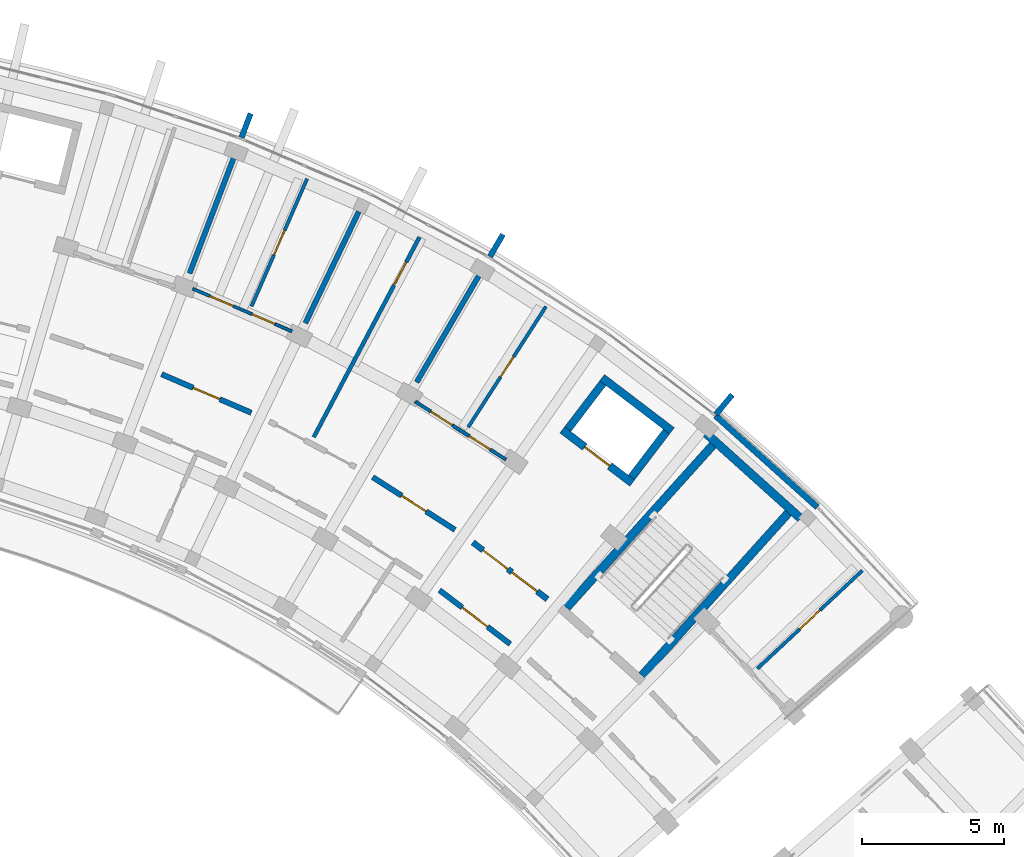
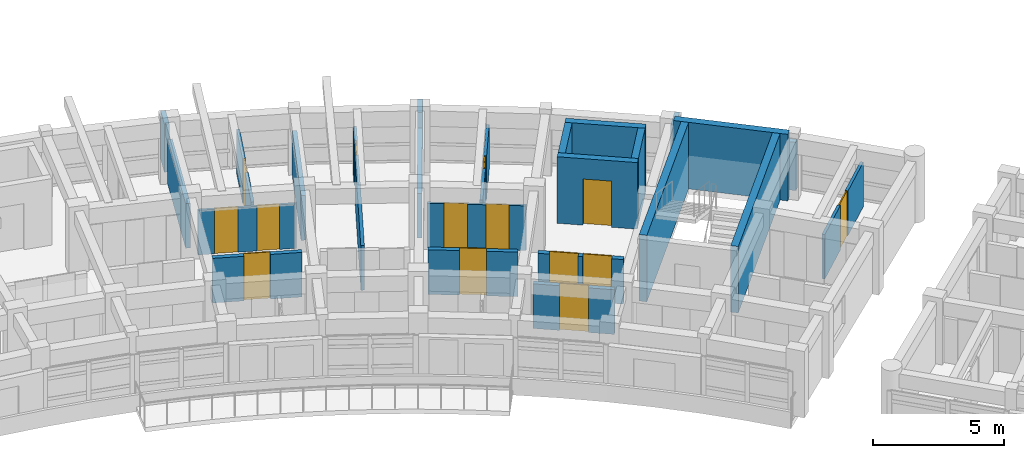
# One storey, part 36 of 56: 24 walls, 14 doors, 14 openings.
"""IFC4 building model written with IfcOpenShell, lengths in metres."""

from ifc_helpers import new_model, si_unit, direction, frame, frame_2d, origin, place, context, subcontext, project, spatial, rectangle, extrude, material, layer, layer_set, type_object, element, fill, save


model = new_model("IFC4")

# Units and contexts
model_context = context("Model", 3, precision=1e-05, world=origin(), true_north=direction((0.0, 1.0)))
body_context = subcontext(model_context, "Body", "Model", "MODEL_VIEW")
ifc_project = project(units=[si_unit("LENGTHUNIT", "METRE"), si_unit("AREAUNIT", "SQUARE_METRE"), si_unit("VOLUMEUNIT", "CUBIC_METRE"), si_unit("PLANEANGLEUNIT", "RADIAN"), si_unit("MASSUNIT", "GRAM", prefix="KILO")], contexts=[model_context])

# Site, building, storey
site_placement = place(None, origin())
site = spatial("IfcSite", under=ifc_project, at=site_placement, CompositionType="ELEMENT")
building_placement = place(site_placement, origin())
building = spatial("IfcBuilding", under=site, at=building_placement, Name="Zimvara Arc Housing Community", CompositionType="ELEMENT")
storey_placement = place(building_placement, frame((0.0, 0.0, 17.39990234375)))
storey = spatial("IfcBuildingStorey", under=building, at=storey_placement, Name="L05", CompositionType="ELEMENT", Elevation=17.39990234375)

# Walls
ifc_material_1 = material(Name="Board-Marked Fair-Faced Concrete C35/45", Category="concrete")
ifc_layer_1 = layer(ifc_material_1, 0.195068359375)
ifc_layer_set_1 = layer_set([ifc_layer_1], Name="Board-Marked Fair-Faced Concrete C35/45")
wall_type_1 = type_object("IfcWallType", Name="EWL-PARA-195", PredefinedType="PARAPET", material=ifc_layer_set_1)
wall_1_placement = place(storey_placement, frame((66.216796875, 100.0029296875, 0.0), z_axis=(0.0, 0.0, 1.0), x_axis=(0.356942580168, 0.934126326823, 0.0)))
element("IfcWall", 1, at=wall_1_placement, inside=storey, type_object=wall_type_1, Name="finwall:blkB:L05:out:b4", PredefinedType="PARAPET", context=body_context, shape_type="SweptSolid", body=[
    extrude(rectangle(XDim=0.900146484375, YDim=0.195068359375, at=frame_2d((0.4501953125, 0.0))), origin(), (0.0, 0.0, 1.0), 2.25),
])
wall_2_placement = place(storey_placement, frame((74.961181640625, 95.8134765625, 0.0), z_axis=(0.0, 0.0, 1.0), x_axis=(0.504326383773, 0.863513114336, 0.0)))
element("IfcWall", 2, at=wall_2_placement, inside=storey, type_object=wall_type_1, Name="finwall:blkB:L05:out:b6", PredefinedType="PARAPET", context=body_context, shape_type="SweptSolid", body=[
    extrude(rectangle(XDim=0.89990234375, YDim=0.195068359375, at=frame_2d((0.449951171875, 0.0))), origin(), (0.0, 0.0, 1.0), 2.25),
])
wall_3_placement = place(storey_placement, frame((82.90771484375, 90.25732421875, 0.0), z_axis=(0.0, 0.0, 1.0), x_axis=(0.637967316825, 0.770063440674, 0.0)))
element("IfcWall", 3, at=wall_3_placement, inside=storey, type_object=wall_type_1, Name="finwall:blkB:L05:out:b8", PredefinedType="PARAPET", context=body_context, shape_type="SweptSolid", body=[
    extrude(rectangle(XDim=0.900146484375, YDim=0.195068359375, at=frame_2d((0.4501953125, 0.0))), origin(), (0.0, 0.0, 1.0), 2.25),
])
ifc_material_2 = material(Name="Board-Marked Fair-Faced Concrete C35/45", Category="concrete")
ifc_layer_2 = layer(ifc_material_2, 0.2119140625)
ifc_layer_set_2 = layer_set([ifc_layer_2], Name="Board-Marked Fair-Faced Concrete C35/45")
wall_type_2 = type_object("IfcWallType", Name="EWL-VAR-11", PredefinedType="SOLIDWALL", material=ifc_layer_set_2)
wall_4_placement = place(storey_placement, frame((82.89697265625, 90.21337890625, 0.0), z_axis=(0.0, 0.0, 1.0), x_axis=(0.743387539862, -0.668860946369, 0.0)))
element("IfcWall", 4, at=wall_4_placement, inside=storey, type_object=wall_type_2, Name="ewall:blkB:L05:out:b8", PredefinedType="SOLIDWALL", context=body_context, shape_type="SweptSolid", body=[
    extrude(rectangle(XDim=4.80908203125, YDim=0.2119140625, at=frame_2d((2.404541015625, 0.0))), origin(), (0.0, 0.0, 1.0), 2.25),
])

# Wall, openings, doors
ifc_material_3 = material(Name="Concrete C35/45", Category="concrete")
ifc_layer_3 = layer(ifc_material_3, 0.2099609375)
ifc_layer_set_3 = layer_set([ifc_layer_3], Name="Concrete C35/45")
wall_type_3 = type_object("IfcWallType", Name="IWL-CCF-210", PredefinedType="SOLIDWALL", material=ifc_layer_set_3)
wall_5_placement = place(storey_placement, frame((74.356689453125, 85.755859375, 0.0), z_axis=(0.0, 0.0, 1.0), x_axis=(0.795498026433, -0.605956178235, 0.0)))
wall_5 = element("IfcWall", 5, at=wall_5_placement, inside=storey, type_object=wall_type_3, Name="iwall:blkB:L05:ll_div:b7", PredefinedType="SOLIDWALL", context=body_context, shape_type="SweptSolid", body=[
    extrude(rectangle(XDim=3.296142578125, YDim=0.2099609375, at=frame_2d((1.64794921875, 0.0))), origin(), (0.0, 0.0, 1.0), 2.080078125),
])
opening_1_placement = place(wall_5_placement, frame((0.449951171875, 0.0, 0.0)))
opening_1 = element("IfcOpeningElement", 6, at=opening_1_placement, cuts=wall_5, Name="Opening FD-CCF1", PredefinedType="OPENING", context=body_context, shape_type="SweptSolid", body=[
    extrude(rectangle(XDim=1.10009765625, YDim=2.14990234375, at=frame_2d((0.550048828125, 1.074951171875))), frame((0.0, 0.114990234375, 0.0), z_axis=(0.0, -1.0, 0.0), x_axis=(1.0, 0.0, 0.0)), (0.0, 0.0, 1.0), 0.22998046875),
])
opening_2_placement = place(wall_5_placement, frame((1.72607421875, 0.0, 0.0)))
opening_2 = element("IfcOpeningElement", 7, at=opening_2_placement, cuts=wall_5, Name="Opening D07", PredefinedType="OPENING", context=body_context, shape_type="SweptSolid", body=[
    extrude(rectangle(XDim=1.1201171875, YDim=2.14990234375, at=frame_2d((0.56005859375, 1.074951171875))), frame((0.0, 0.114990234375, 0.0), z_axis=(0.0, -1.0, 0.0), x_axis=(1.0, 0.0, 0.0)), (0.0, 0.0, 1.0), 0.22998046875),
])
ifc_material_4 = material(Name="Mozambican Hardwood", Category="wood")
door_type_1 = type_object("IfcDoorType", Name="IDR-AMN-1120x2150", OperationType="NOTDEFINED", PredefinedType="DOOR", material=ifc_material_4)
door_1_placement = place(opening_2_placement, origin())
door_1 = element("IfcDoor", 8, at=door_1_placement, inside=storey, type_object=door_type_1, Name="idoor:blkB:L05:rs_in:b7", OperationType="SINGLE_SWING_LEFT", OverallHeight=2.14990234375, OverallWidth=1.1201171875, PredefinedType="DOOR", context=body_context, shape_type="SweptSolid", body=[
    extrude(rectangle(XDim=1.1201171875, YDim=2.14990234375, at=frame_2d((0.56005859375, 1.074951171875))), frame((0.0, 0.02490234375, 0.0), z_axis=(0.0, -1.0, 0.0), x_axis=(1.0, 0.0, 0.0)), (0.0, 0.0, 1.0), 0.050048828125),
])
fill(opening_2, door_1)
ifc_material_5 = material(Name="Anodised Aluminium AW-6063", Category="aluminium")
door_type_2 = type_object("IfcDoorType", Name="IDR-CCF-1100x2150", OperationType="NOTDEFINED", PredefinedType="DOOR", material=ifc_material_5)
door_2_placement = place(opening_1_placement, origin())
door_2 = element("IfcDoor", 9, at=door_2_placement, inside=storey, type_object=door_type_2, Name="idoor:blkB:L05:ll_in:b7", OperationType="SINGLE_SWING_RIGHT", OverallHeight=2.14990234375, OverallWidth=1.10009765625, PredefinedType="DOOR", context=body_context, shape_type="SweptSolid", body=[
    extrude(rectangle(XDim=1.10009765625, YDim=2.14990234375, at=frame_2d((0.550048828125, 1.074951171875))), frame((0.0, 0.02490234375, 0.0), z_axis=(0.0, -1.0, 0.0), x_axis=(1.0, 0.0, 0.0)), (0.0, 0.0, 1.0), 0.050048828125),
])
fill(opening_1, door_2)

# Wall, opening, door
ifc_material_6 = material(Name="Concrete C35/45", Category="concrete")
ifc_layer_4 = layer(ifc_material_6, 0.18994140625)
ifc_layer_set_4 = layer_set([ifc_layer_4], Name="Concrete C35/45")
wall_type_4 = type_object("IfcWallType", Name="IWL-CORR-190", PredefinedType="SOLIDWALL", material=ifc_layer_set_4)
wall_6_placement = place(storey_placement, frame((63.40673828125, 91.6728515625, 0.0), z_axis=(0.0, 0.0, 1.0), x_axis=(0.918718172399, -0.394913813008, 0.0)))
wall_6 = element("IfcWall", 10, at=wall_6_placement, inside=storey, type_object=wall_type_4, Name="iwall:blkB:L05:corr_out:b4", PredefinedType="SOLIDWALL", context=body_context, shape_type="SweptSolid", body=[
    extrude(rectangle(XDim=3.43603515625, YDim=0.18994140625, at=frame_2d((1.718017578125, 0.0))), origin(), (0.0, 0.0, 1.0), 2.080078125),
])
opening_3_placement = place(wall_6_placement, frame((1.2080078125, 0.0, 0.0)))
opening_3 = element("IfcOpeningElement", 11, at=opening_3_placement, cuts=wall_6, Name="Opening FD-FL2", PredefinedType="OPENING", context=body_context, shape_type="SweptSolid", body=[
    extrude(rectangle(XDim=1.02001953125, YDim=2.14990234375, at=frame_2d((0.510009765625, 1.074951171875))), frame((0.0, 0.10498046875, 0.0), z_axis=(0.0, -1.0, 0.0), x_axis=(1.0, 0.0, 0.0)), (0.0, 0.0, 1.0), 0.2099609375),
])
ifc_material_7 = material(Name="Mozambican Hardwood", Category="wood")
door_type_3 = type_object("IfcDoorType", Name="IDR-FLAT-1020x2150", OperationType="NOTDEFINED", PredefinedType="DOOR", material=ifc_material_7)
door_3_placement = place(opening_3_placement, origin())
door_3 = element("IfcDoor", 12, at=door_3_placement, inside=storey, type_object=door_type_3, Name="idoor:blkB:L05:flat:b4", OperationType="SINGLE_SWING_RIGHT", OverallHeight=2.14990234375, OverallWidth=1.02001953125, PredefinedType="DOOR", context=body_context, shape_type="SweptSolid", body=[
    extrude(rectangle(XDim=1.02001953125, YDim=2.14990234375, at=frame_2d((0.510009765625, 1.074951171875))), frame((0.0, 0.02490234375, 0.0), z_axis=(0.0, -1.0, 0.0), x_axis=(1.0, 0.0, 0.0)), (0.0, 0.0, 1.0), 0.050048828125),
])
fill(opening_3, door_3)

wall_7_placement = place(storey_placement, frame((70.833740234375, 88.05126953125, 0.0), z_axis=(0.0, 0.0, 1.0), x_axis=(0.842257205985, -0.539075874963, 0.0)))
wall_7 = element("IfcWall", 13, at=wall_7_placement, inside=storey, type_object=wall_type_4, Name="iwall:blkB:L05:corr_out:b6", PredefinedType="SOLIDWALL", context=body_context, shape_type="SweptSolid", body=[
    extrude(rectangle(XDim=3.43603515625, YDim=0.18994140625, at=frame_2d((1.718017578125, 0.0))), origin(), (0.0, 0.0, 1.0), 2.080078125),
])
opening_4_placement = place(wall_7_placement, frame((1.2080078125, 0.0, 0.0)))
opening_4 = element("IfcOpeningElement", 14, at=opening_4_placement, cuts=wall_7, Name="Opening FD-FL2", PredefinedType="OPENING", context=body_context, shape_type="SweptSolid", body=[
    extrude(rectangle(XDim=1.02001953125, YDim=2.14990234375, at=frame_2d((0.510009765625, 1.074951171875))), frame((0.0, 0.10498046875, 0.0), z_axis=(0.0, -1.0, 0.0), x_axis=(1.0, 0.0, 0.0)), (0.0, 0.0, 1.0), 0.2099609375),
])
door_4_placement = place(opening_4_placement, origin())
door_4 = element("IfcDoor", 15, at=door_4_placement, inside=storey, type_object=door_type_3, Name="idoor:blkB:L05:flat:b6", OperationType="SINGLE_SWING_RIGHT", OverallHeight=2.14990234375, OverallWidth=1.02001953125, PredefinedType="DOOR", context=body_context, shape_type="SweptSolid", body=[
    extrude(rectangle(XDim=1.02001953125, YDim=2.14990234375, at=frame_2d((0.510009765625, 1.074951171875))), frame((0.0, 0.02490234375, 0.0), z_axis=(0.0, -1.0, 0.0), x_axis=(1.0, 0.0, 0.0)), (0.0, 0.0, 1.0), 0.050048828125),
])
fill(opening_4, door_4)

wall_8_placement = place(storey_placement, frame((73.18212890625, 84.07568359375, 0.0), z_axis=(0.0, 0.0, 1.0), x_axis=(0.795501577908, -0.605951515838, 0.0)))
wall_8 = element("IfcWall", 16, at=wall_8_placement, inside=storey, type_object=wall_type_4, Name="iwall:blkB:L05:ra_div:b7", PredefinedType="SOLIDWALL", context=body_context, shape_type="SweptSolid", body=[
    extrude(rectangle(XDim=3.128662109375, YDim=0.18994140625, at=frame_2d((1.564453125, 0.0))), origin(), (0.0, 0.0, 1.0), 2.080078125),
])
opening_5_placement = place(wall_8_placement, frame((1.00439453125, 0.0, 0.0)))
opening_5 = element("IfcOpeningElement", 17, at=opening_5_placement, cuts=wall_8, Name="Opening D07", PredefinedType="OPENING", context=body_context, shape_type="SweptSolid", body=[
    extrude(rectangle(XDim=1.1201171875, YDim=2.14990234375, at=frame_2d((0.56005859375, 1.074951171875))), frame((0.0, 0.10498046875, 0.0), z_axis=(0.0, -1.0, 0.0), x_axis=(1.0, 0.0, 0.0)), (0.0, 0.0, 1.0), 0.2099609375),
])
door_5_placement = place(opening_5_placement, origin())
door_5 = element("IfcDoor", 18, at=door_5_placement, inside=storey, type_object=door_type_1, Name="idoor:blkB:L05:ra_d:b7", OperationType="SINGLE_SWING_RIGHT", OverallHeight=2.14990234375, OverallWidth=1.1201171875, PredefinedType="DOOR", context=body_context, shape_type="SweptSolid", body=[
    extrude(rectangle(XDim=1.1201171875, YDim=2.14990234375, at=frame_2d((0.56005859375, 1.074951171875))), frame((0.0, 0.02490234375, 0.0), z_axis=(0.0, -1.0, 0.0), x_axis=(1.0, 0.0, 0.0)), (0.0, 0.0, 1.0), 0.050048828125),
])
fill(opening_5, door_5)

# Walls
ifc_material_8 = material(Name="Concrete C35/45", Category="concrete")
ifc_layer_5 = layer(ifc_material_8, 0.18505859375)
ifc_layer_set_5 = layer_set([ifc_layer_5], Name="Concrete C35/45")
wall_type_5 = type_object("IfcWallType", Name="IWL-FLAT-185", PredefinedType="SOLIDWALL", material=ifc_layer_set_5)
for number, where, z_axis, x_axis, name in (
    (19, (64.388671875, 95.220458984375, 0.0), (0.0, 0.0, 1.0), (0.357064016205, 0.934079915388, 0.0), "iwall:blkB:L05:party:b4"),
    (20, (68.462158203125, 93.469482421875, 0.0), (0.0, 0.0, 1.0), (0.432086898897, 0.901831975371, 0.0), "iwall:blkB:L05:party:b5"),
    (21, (72.37939453125, 91.391845703125, 0.0), (0.0, 0.0, 1.0), (0.504216452091, 0.863577309475, 0.0), "iwall:blkB:L05:party:b6"),
):
    element("IfcWall", number, at=place(storey_placement, frame(where, z_axis=z_axis, x_axis=x_axis)), inside=storey, type_object=wall_type_5, Name=name, PredefinedType="SOLIDWALL", context=body_context, shape_type="SweptSolid", body=[
        extrude(rectangle(XDim=4.35009765625, YDim=0.18505859375, at=frame_2d((2.175048828125, 0.0))), origin(), (0.0, 0.0, 1.0), 2.080078125),
    ])

# Wall, openings, doors
ifc_material_9 = material(Name="Painted Acoustic Plasterboard")
ifc_layer_6 = layer(ifc_material_9, 0.10009765625)
ifc_layer_set_6 = layer_set([ifc_layer_6], Name="Painted Acoustic Plasterboard")
wall_type_6 = type_object("IfcWallType", Name="IWL-PART-100", PredefinedType="PARTITIONING", material=ifc_layer_set_6)
wall_9_placement = place(storey_placement, frame((64.50341796875, 94.681640625, 0.0), z_axis=(0.0, 0.0, 1.0), x_axis=(0.918732171064, -0.394881245253, 0.0)))
wall_9 = element("IfcWall", 22, at=wall_9_placement, inside=storey, type_object=wall_type_6, Name="iwall:blkB:L05:srv:b4", PredefinedType="PARTITIONING", context=body_context, shape_type="SweptSolid", body=[
    extrude(rectangle(XDim=3.79736328125, YDim=0.10009765625, at=frame_2d((1.898681640625, 0.0))), origin(), (0.0, 0.0, 1.0), 2.080078125),
])
opening_6_placement = place(wall_9_placement, frame((0.64990234375, 0.0, 0.0)))
opening_6 = element("IfcOpeningElement", 23, at=opening_6_placement, cuts=wall_9, Name="Opening D01", PredefinedType="OPENING", context=body_context, shape_type="SweptSolid", body=[
    extrude(rectangle(XDim=0.89990234375, YDim=2.10009765625, at=frame_2d((0.449951171875, 1.050048828125))), frame((0.0, 0.06005859375, 0.0), z_axis=(0.0, -1.0, 0.0), x_axis=(1.0, 0.0, 0.0)), (0.0, 0.0, 1.0), 0.1201171875),
])
opening_7_placement = place(wall_9_placement, frame((2.267333984375, 0.0, 0.0)))
opening_7 = element("IfcOpeningElement", 24, at=opening_7_placement, cuts=wall_9, Name="Opening D05", PredefinedType="OPENING", context=body_context, shape_type="SweptSolid", body=[
    extrude(rectangle(XDim=0.8798828125, YDim=2.10009765625, at=frame_2d((0.43994140625, 1.050048828125))), frame((0.0, 0.06005859375, 0.0), z_axis=(0.0, -1.0, 0.0), x_axis=(1.0, 0.0, 0.0)), (0.0, 0.0, 1.0), 0.1201171875),
])
ifc_material_10 = material(Name="Mozambican Hardwood", Category="wood")
door_type_4 = type_object("IfcDoorType", Name="IDR-RM-0900x2100", OperationType="NOTDEFINED", PredefinedType="DOOR", material=ifc_material_10)
door_6_placement = place(opening_6_placement, origin())
door_6 = element("IfcDoor", 25, at=door_6_placement, inside=storey, type_object=door_type_4, Name="idoor:blkB:L05:kit_liv:b4", OperationType="SINGLE_SWING_LEFT", OverallHeight=2.10009765625, OverallWidth=0.89990234375, PredefinedType="DOOR", context=body_context, shape_type="SweptSolid", body=[
    extrude(rectangle(XDim=0.89990234375, YDim=2.10009765625, at=frame_2d((0.449951171875, 1.050048828125))), frame((0.0, 0.02490234375, 0.0), z_axis=(0.0, -1.0, 0.0), x_axis=(1.0, 0.0, 0.0)), (0.0, 0.0, 1.0), 0.050048828125),
])
fill(opening_6, door_6)
ifc_material_11 = material(Name="Mozambican Hardwood", Category="wood")
door_type_5 = type_object("IfcDoorType", Name="IDR-WC-0880x2100", OperationType="NOTDEFINED", PredefinedType="DOOR", material=ifc_material_11)
door_7_placement = place(opening_7_placement, origin())
door_7 = element("IfcDoor", 26, at=door_7_placement, inside=storey, type_object=door_type_5, Name="idoor:blkB:L05:bath_d:b4", OperationType="SINGLE_SWING_RIGHT", OverallHeight=2.10009765625, OverallWidth=0.8798828125, PredefinedType="DOOR", context=body_context, shape_type="SweptSolid", body=[
    extrude(rectangle(XDim=0.8798828125, YDim=2.10009765625, at=frame_2d((0.43994140625, 1.050048828125))), frame((0.0, 0.02490234375, 0.0), z_axis=(0.0, -1.0, 0.0), x_axis=(1.0, 0.0, 0.0)), (0.0, 0.0, 1.0), 0.050048828125),
])
fill(opening_7, door_7)

ifc_material_12 = material(Name="Painted Acoustic Plasterboard")
ifc_layer_7 = layer(ifc_material_12, 0.110107421875)
ifc_layer_set_7 = layer_set([ifc_layer_7], Name="Painted Acoustic Plasterboard")
wall_type_7 = type_object("IfcWallType", Name="IWL-PART-110", PredefinedType="PARTITIONING", material=ifc_layer_set_7)
wall_10_placement = place(storey_placement, frame((72.32958984375, 90.712158203125, 0.0), z_axis=(0.0, 0.0, 1.0), x_axis=(0.842245628842, -0.539093962771, 0.0)))
wall_10 = element("IfcWall", 27, at=wall_10_placement, inside=storey, type_object=wall_type_7, Name="iwall:blkB:L05:srv:b6", PredefinedType="PARTITIONING", context=body_context, shape_type="SweptSolid", body=[
    extrude(rectangle(XDim=3.78515625, YDim=0.110107421875, at=frame_2d((1.892578125, 0.0))), origin(), (0.0, 0.0, 1.0), 2.080078125),
])
opening_8_placement = place(wall_10_placement, frame((0.64990234375, 0.0, 0.0)))
opening_8 = element("IfcOpeningElement", 28, at=opening_8_placement, cuts=wall_10, Name="Opening D01", PredefinedType="OPENING", context=body_context, shape_type="SweptSolid", body=[
    extrude(rectangle(XDim=0.89990234375, YDim=2.10009765625, at=frame_2d((0.449951171875, 1.050048828125))), frame((0.0, 0.06494140625, 0.0), z_axis=(0.0, -1.0, 0.0), x_axis=(1.0, 0.0, 0.0)), (0.0, 0.0, 1.0), 0.130126953125),
])
opening_9_placement = place(wall_10_placement, frame((2.255126953125, 0.0, 0.0)))
opening_9 = element("IfcOpeningElement", 29, at=opening_9_placement, cuts=wall_10, Name="Opening D05", PredefinedType="OPENING", context=body_context, shape_type="SweptSolid", body=[
    extrude(rectangle(XDim=0.8798828125, YDim=2.10009765625, at=frame_2d((0.43994140625, 1.050048828125))), frame((0.0, 0.06494140625, 0.0), z_axis=(0.0, -1.0, 0.0), x_axis=(1.0, 0.0, 0.0)), (0.0, 0.0, 1.0), 0.130126953125),
])
door_8_placement = place(opening_8_placement, origin())
door_8 = element("IfcDoor", 30, at=door_8_placement, inside=storey, type_object=door_type_4, Name="idoor:blkB:L05:kit_liv:b6", OperationType="SINGLE_SWING_LEFT", OverallHeight=2.10009765625, OverallWidth=0.89990234375, PredefinedType="DOOR", context=body_context, shape_type="SweptSolid", body=[
    extrude(rectangle(XDim=0.89990234375, YDim=2.10009765625, at=frame_2d((0.449951171875, 1.050048828125))), frame((0.0, 0.02490234375, 0.0), z_axis=(0.0, -1.0, 0.0), x_axis=(1.0, 0.0, 0.0)), (0.0, 0.0, 1.0), 0.050048828125),
])
fill(opening_8, door_8)
door_9_placement = place(opening_9_placement, origin())
door_9 = element("IfcDoor", 31, at=door_9_placement, inside=storey, type_object=door_type_5, Name="idoor:blkB:L05:bath_d:b6", OperationType="SINGLE_SWING_RIGHT", OverallHeight=2.10009765625, OverallWidth=0.8798828125, PredefinedType="DOOR", context=body_context, shape_type="SweptSolid", body=[
    extrude(rectangle(XDim=0.8798828125, YDim=2.10009765625, at=frame_2d((0.43994140625, 1.050048828125))), frame((0.0, 0.02490234375, 0.0), z_axis=(0.0, -1.0, 0.0), x_axis=(1.0, 0.0, 0.0)), (0.0, 0.0, 1.0), 0.050048828125),
])
fill(opening_9, door_9)

# Wall, opening, door
ifc_material_13 = material(Name="Painted Acoustic Plasterboard")
ifc_layer_8 = layer(ifc_material_13, 0.1201171875)
ifc_layer_set_8 = layer_set([ifc_layer_8], Name="Painted Acoustic Plasterboard")
wall_type_8 = type_object("IfcWallType", Name="IWL-PART-120", PredefinedType="PARTITIONING", material=ifc_layer_set_8)
wall_11_placement = place(storey_placement, frame((66.569091796875, 94.059814453125, 0.0), z_axis=(0.0, 0.0, 1.0), x_axis=(0.399048563147, 0.916929792433, 0.0)))
wall_11 = element("IfcWall", 32, at=wall_11_placement, inside=storey, type_object=wall_type_8, Name="iwall:blkB:L05:bed_div:b4", PredefinedType="PARTITIONING", context=body_context, shape_type="SweptSolid", body=[
    extrude(rectangle(XDim=4.89990234375, YDim=0.1201171875, at=frame_2d((2.449951171875, 0.0))), origin(), (0.0, 0.0, 1.0), 2.080078125),
])
opening_10_placement = place(wall_11_placement, frame((1.97998046875, 0.0, 0.0)))
opening_10 = element("IfcOpeningElement", 33, at=opening_10_placement, cuts=wall_11, Name="Opening D03", PredefinedType="OPENING", context=body_context, shape_type="SweptSolid", body=[
    extrude(rectangle(XDim=0.93994140625, YDim=2.10009765625, at=frame_2d((0.469970703125, 1.050048828125))), frame((0.0, 0.070068359375, 0.0), z_axis=(0.0, -1.0, 0.0), x_axis=(1.0, 0.0, 0.0)), (0.0, 0.0, 1.0), 0.14013671875),
])
ifc_material_14 = material(Name="Mozambican Hardwood", Category="wood")
door_type_6 = type_object("IfcDoorType", Name="IDR-RM-0940x2100", OperationType="NOTDEFINED", PredefinedType="DOOR", material=ifc_material_14)
door_10_placement = place(opening_10_placement, origin())
door_10 = element("IfcDoor", 34, at=door_10_placement, inside=storey, type_object=door_type_6, Name="idoor:blkB:L05:bed_d:b4", OperationType="SINGLE_SWING_LEFT", OverallHeight=2.10009765625, OverallWidth=0.93994140625, PredefinedType="DOOR", context=body_context, shape_type="SweptSolid", body=[
    extrude(rectangle(XDim=0.93994140625, YDim=2.10009765625, at=frame_2d((0.469970703125, 1.050048828125))), frame((0.0, 0.02490234375, 0.0), z_axis=(0.0, -1.0, 0.0), x_axis=(1.0, 0.0, 0.0)), (0.0, 0.0, 1.0), 0.050048828125),
])
fill(opening_10, door_10)

wall_12_placement = place(storey_placement, frame((74.1923828125, 89.810302734375, 0.0), z_axis=(0.0, 0.0, 1.0), x_axis=(0.541612517702, 0.840628265447, 0.0)))
wall_12 = element("IfcWall", 35, at=wall_12_placement, inside=storey, type_object=wall_type_8, Name="iwall:blkB:L05:bed_div:b6", PredefinedType="PARTITIONING", context=body_context, shape_type="SweptSolid", body=[
    extrude(rectangle(XDim=5.050048828125, YDim=0.1201171875, at=frame_2d((2.52490234375, 0.0))), origin(), (0.0, 0.0, 1.0), 2.080078125),
])
opening_11_placement = place(wall_12_placement, frame((2.10009765625, 0.0, 0.0)))
opening_11 = element("IfcOpeningElement", 36, at=opening_11_placement, cuts=wall_12, Name="Opening D11", PredefinedType="OPENING", context=body_context, shape_type="SweptSolid", body=[
    extrude(rectangle(XDim=0.85009765625, YDim=2.10009765625, at=frame_2d((0.425048828125, 1.050048828125))), frame((0.0, 0.070068359375, 0.0), z_axis=(0.0, -1.0, 0.0), x_axis=(1.0, 0.0, 0.0)), (0.0, 0.0, 1.0), 0.14013671875),
])
ifc_material_15 = material(Name="Mozambican Hardwood", Category="wood")
door_type_7 = type_object("IfcDoorType", Name="IDR-MOD-850x2060", OperationType="NOTDEFINED", PredefinedType="DOOR", material=ifc_material_15)
door_11_placement = place(opening_11_placement, origin())
door_11 = element("IfcDoor", 37, at=door_11_placement, inside=storey, type_object=door_type_7, Name="idoor:blkB:L05:bed_d:b6", OperationType="SINGLE_SWING_LEFT", OverallHeight=2.10009765625, OverallWidth=0.85009765625, PredefinedType="DOOR", context=body_context, shape_type="SweptSolid", body=[
    extrude(rectangle(XDim=0.85009765625, YDim=2.10009765625, at=frame_2d((0.425048828125, 1.050048828125))), frame((0.0, 0.02490234375, 0.0), z_axis=(0.0, -1.0, 0.0), x_axis=(1.0, 0.0, 0.0)), (0.0, 0.0, 1.0), 0.050048828125),
])
fill(opening_11, door_11)

wall_13_placement = place(storey_placement, frame((84.3681640625, 81.315185546875, 0.0), z_axis=(0.0, 0.0, 1.0), x_axis=(0.73037487973, 0.683046510173, 0.0)))
wall_13 = element("IfcWall", 38, at=wall_13_placement, inside=storey, type_object=wall_type_8, Name="iwall:blkB:L05:bed_div:b9", PredefinedType="PARTITIONING", context=body_context, shape_type="SweptSolid", body=[
    extrude(rectangle(XDim=5.050048828125, YDim=0.1201171875, at=frame_2d((2.52490234375, 0.0))), origin(), (0.0, 0.0, 1.0), 2.080078125),
])
opening_12_placement = place(wall_13_placement, frame((2.0400390625, 0.0, 0.0)))
opening_12 = element("IfcOpeningElement", 39, at=opening_12_placement, cuts=wall_13, Name="Opening D14", PredefinedType="OPENING", context=body_context, shape_type="SweptSolid", body=[
    extrude(rectangle(XDim=0.969970703125, YDim=2.10009765625, at=frame_2d((0.48486328125, 1.050048828125))), frame((0.0, 0.070068359375, 0.0), z_axis=(0.0, -1.0, 0.0), x_axis=(1.0, 0.0, 0.0)), (0.0, 0.0, 1.0), 0.14013671875),
])
ifc_material_16 = material(Name="Mozambican Hardwood", Category="wood")
door_type_8 = type_object("IfcDoorType", Name="IDR-MOD-970x2080", OperationType="NOTDEFINED", PredefinedType="DOOR", material=ifc_material_16)
door_12_placement = place(opening_12_placement, origin())
door_12 = element("IfcDoor", 40, at=door_12_placement, inside=storey, type_object=door_type_8, Name="idoor:blkB:L05:bed_d:b9", OperationType="SINGLE_SWING_RIGHT", OverallHeight=2.10009765625, OverallWidth=0.969970703125, PredefinedType="DOOR", context=body_context, shape_type="SweptSolid", body=[
    extrude(rectangle(XDim=0.969970703125, YDim=2.10009765625, at=frame_2d((0.48486328125, 1.050048828125))), frame((0.0, 0.02490234375, 0.0), z_axis=(0.0, -1.0, 0.0), x_axis=(1.0, 0.0, 0.0)), (0.0, 0.0, 1.0), 0.050048828125),
])
fill(opening_12, door_12)

ifc_material_17 = material(Name="Painted Acoustic Plasterboard")
ifc_layer_9 = layer(ifc_material_17, 0.139892578125)
ifc_layer_set_9 = layer_set([ifc_layer_9], Name="Painted Acoustic Plasterboard")
wall_type_9 = type_object("IfcWallType", Name="IWL-PART-140", PredefinedType="PARTITIONING", material=ifc_layer_set_9)
wall_14_placement = place(storey_placement, frame((68.7578125, 89.458740234375, 0.0), z_axis=(0.0, 0.0, 1.0), x_axis=(0.467208910392, 0.884146952746, 0.0)))
wall_14 = element("IfcWall", 41, at=wall_14_placement, inside=storey, type_object=wall_type_9, Name="iwall:blkB:L05:amen_div:b5", PredefinedType="PARTITIONING", context=body_context, shape_type="SweptSolid", body=[
    extrude(rectangle(XDim=7.9501953125, YDim=0.139892578125, at=frame_2d((3.97509765625, 0.0))), origin(), (0.0, 0.0, 1.0), 2.080078125),
])
opening_13_placement = place(wall_14_placement, frame((6.050048828125, 0.0, 0.0)))
opening_13 = element("IfcOpeningElement", 42, at=opening_13_placement, cuts=wall_14, Name="Opening D02", PredefinedType="OPENING", context=body_context, shape_type="SweptSolid", body=[
    extrude(rectangle(XDim=0.919921875, YDim=2.10009765625, at=frame_2d((0.4599609375, 1.050048828125))), frame((0.0, 0.079833984375, 0.0), z_axis=(0.0, -1.0, 0.0), x_axis=(1.0, 0.0, 0.0)), (0.0, 0.0, 1.0), 0.159912109375),
])
ifc_material_18 = material(Name="Mozambican Hardwood", Category="wood")
door_type_9 = type_object("IfcDoorType", Name="IDR-RM-0920x2100", OperationType="NOTDEFINED", PredefinedType="DOOR", material=ifc_material_18)
door_13_placement = place(opening_13_placement, origin())
door_13 = element("IfcDoor", 43, at=door_13_placement, inside=storey, type_object=door_type_9, Name="idoor:blkB:L05:laund_d:b5", OperationType="SINGLE_SWING_LEFT", OverallHeight=2.10009765625, OverallWidth=0.919921875, PredefinedType="DOOR", context=body_context, shape_type="SweptSolid", body=[
    extrude(rectangle(XDim=0.919921875, YDim=2.10009765625, at=frame_2d((0.4599609375, 1.050048828125))), frame((0.0, 0.02490234375, 0.0), z_axis=(0.0, -1.0, 0.0), x_axis=(1.0, 0.0, 0.0)), (0.0, 0.0, 1.0), 0.050048828125),
])
fill(opening_13, door_13)

ifc_material_19 = material(Name="Concrete C40/50", Category="concrete")
ifc_layer_10 = layer(ifc_material_19, 0.280029296875)
ifc_layer_set_10 = layer_set([ifc_layer_10], Name="Concrete C40/50")
wall_type_10 = type_object("IfcWallType", Name="WL-CORE-280", PredefinedType="SHEAR", material=ifc_layer_set_10)
wall_15_placement = place(storey_placement, frame((79.96142578125, 87.84375, 0.0), z_axis=(0.0, 0.0, 1.0), x_axis=(-0.795464365424, 0.606000365793, 0.0)))
wall_15 = element("IfcWall", 44, at=wall_15_placement, inside=storey, type_object=wall_type_10, Name="lwall:LP-B2:L05:front", PredefinedType="SHEAR", context=body_context, shape_type="SweptSolid", body=[
    extrude(rectangle(XDim=3.090087890625, YDim=0.280029296875, at=frame_2d((1.544921875, 0.0))), origin(), (0.0, 0.0, 1.0), 3.10009765625),
])
opening_14_placement = place(wall_15_placement, frame((0.9951171875, 0.0, 0.0)))
opening_14 = element("IfcOpeningElement", 45, at=opening_14_placement, cuts=wall_15, Name="Opening LD-LP-B2", PredefinedType="OPENING", context=body_context, shape_type="SweptSolid", body=[
    extrude(rectangle(XDim=1.10009765625, YDim=2.14990234375, at=frame_2d((0.550048828125, 1.074951171875))), frame((0.0, 0.14990234375, 0.0), z_axis=(0.0, -1.0, 0.0), x_axis=(1.0, 0.0, 0.0)), (0.0, 0.0, 1.0), 0.300048828125),
])
ifc_material_20 = material(Name="Anodised Aluminium AW-6063", Category="aluminium")
door_type_10 = type_object("IfcDoorType", Name="IDR-LD-1100x2150", OperationType="DOUBLE_DOOR_SLIDING", PredefinedType="DOOR", material=ifc_material_20)
door_14_placement = place(opening_14_placement, origin())
door_14 = element("IfcDoor", 46, at=door_14_placement, inside=storey, type_object=door_type_10, Name="Lift LP-B2 Sliding Landing Door L05", OperationType="DOUBLE_DOOR_SLIDING", OverallHeight=2.14990234375, OverallWidth=1.10009765625, PredefinedType="DOOR", context=body_context, shape_type="SweptSolid", body=[
    extrude(rectangle(XDim=1.10009765625, YDim=2.14990234375, at=frame_2d((0.550048828125, 1.074951171875))), frame((0.0, 0.02490234375, 0.0), z_axis=(0.0, -1.0, 0.0), x_axis=(1.0, 0.0, 0.0)), (0.0, 0.0, 1.0), 0.050048828125),
])
fill(opening_14, door_14)

# Walls
wall_16_placement = place(storey_placement, frame((81.361083984375, 89.681396484375, 0.0), z_axis=(0.0, 0.0, 1.0), x_axis=(-0.795502452183, 0.605950368076, 0.0)))
element("IfcWall", 47, at=wall_16_placement, inside=storey, type_object=wall_type_10, Name="lwall:LP-B2:L05:back", PredefinedType="SHEAR", context=body_context, shape_type="SweptSolid", body=[
    extrude(rectangle(XDim=3.08984375, YDim=0.280029296875, at=frame_2d((1.544921875, 0.0))), origin(), (0.0, 0.0, 1.0), 3.10009765625),
])
for number, where, z_axis, x_axis, name in (
    (48, (79.934814453125, 88.0400390625, 0.0), (0.0, 0.0, 1.0), (0.606025097418, 0.795445523779, 0.0), "lwall:LP-B2:L05:left"),
    (49, (77.699462890625, 89.742919921875, 0.0), (0.0, 0.0, 1.0), (0.606025097418, 0.795445523779, 0.0), "lwall:LP-B2:L05:right"),
):
    element("IfcWall", number, at=place(storey_placement, frame(where, z_axis=z_axis, x_axis=x_axis)), inside=storey, type_object=wall_type_10, Name=name, PredefinedType="SHEAR", context=body_context, shape_type="SweptSolid", body=[
        extrude(rectangle(XDim=2.030029296875, YDim=0.280029296875, at=frame_2d((1.01513671875, 0.0))), origin(), (0.0, 0.0, 1.0), 3.10009765625),
    ])
ifc_material_21 = material(Name="Concrete C40/50", Category="concrete")
ifc_layer_11 = layer(ifc_material_21, 0.300048828125)
ifc_layer_set_11 = layer_set([ifc_layer_11], Name="Concrete C40/50")
wall_type_11 = type_object("IfcWallType", Name="WL-CORE-300", PredefinedType="SHEAR", material=ifc_layer_set_11)
wall_17_placement = place(storey_placement, frame((85.887451171875, 86.6005859375, 0.0), z_axis=(0.0, 0.0, 1.0), x_axis=(-0.743400052815, 0.668847038922, 0.0)))
element("IfcWall", 50, at=wall_17_placement, inside=storey, type_object=wall_type_11, Name="cwall:ST-B2:L05:far", PredefinedType="SHEAR", context=body_context, shape_type="SweptSolid", body=[
    extrude(rectangle(XDim=4.469970703125, YDim=0.300048828125, at=frame_2d((2.23486328125, 0.0))), origin(), (0.0, 0.0, 1.0), 3.10009765625),
])
wall_18_placement = place(storey_placement, frame((80.308837890625, 81.073486328125, 0.0), z_axis=(0.0, 0.0, 1.0), x_axis=(0.668885797871, 0.743365179038, 0.0)))
element("IfcWall", 51, at=wall_18_placement, inside=storey, type_object=wall_type_11, Name="cwall:ST-B2:L05:left", PredefinedType="SHEAR", context=body_context, shape_type="SweptSolid", body=[
    extrude(rectangle(XDim=7.690185546875, YDim=0.300048828125, at=frame_2d((3.84521484375, 0.0))), origin(), (0.0, 0.0, 1.0), 3.10009765625),
])
wall_19_placement = place(storey_placement, frame((77.655029296875, 83.461181640625, 0.0), z_axis=(0.0, 0.0, 1.0), x_axis=(0.668868253964, 0.743380964808, 0.0)))
element("IfcWall", 52, at=wall_19_placement, inside=storey, type_object=wall_type_11, Name="cwall:ST-B2:L05:right", PredefinedType="SHEAR", context=body_context, shape_type="SweptSolid", body=[
    extrude(rectangle(XDim=7.68994140625, YDim=0.300048828125, at=frame_2d((3.844970703125, 0.0))), origin(), (0.0, 0.0, 1.0), 3.10009765625),
])

save(model, "model.ifc")
